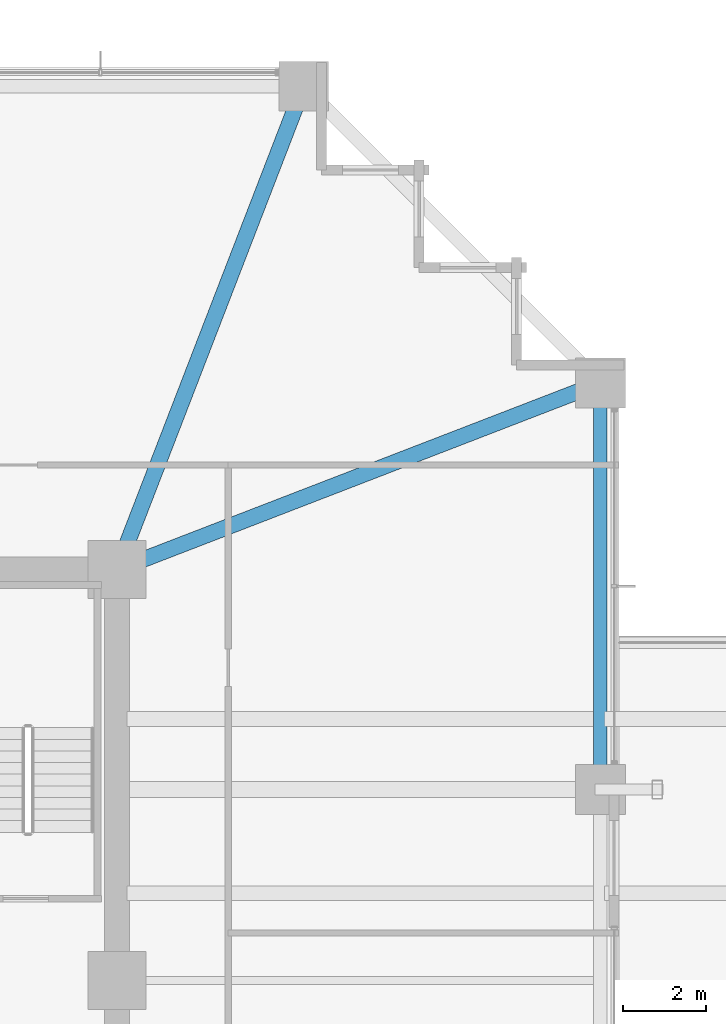
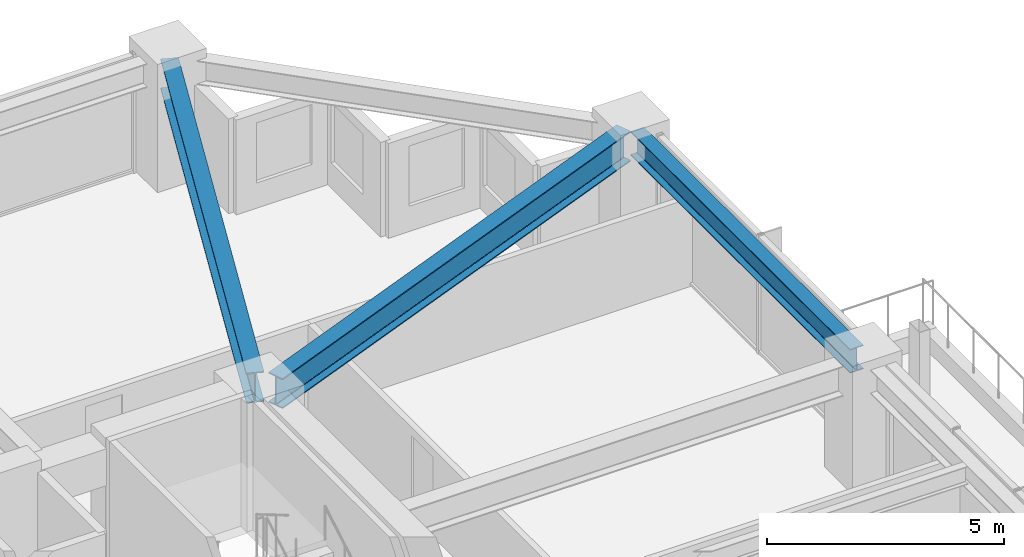
# One storey, part 24 of 38: 3 beams.
"""IFC4 building model written with IfcOpenShell, lengths in metres."""

from ifc_helpers import new_model, si_unit, direction, frame, origin, origin_2d, place, context, subcontext, project, spatial, i_section, extrude, material, material_profile, profile_set, type_object, element, save


model = new_model("IFC4")

# Units and contexts
model_context = context("Model", 3, precision=1e-05, world=origin(), true_north=direction((0.0, 1.0)))
body_context = subcontext(model_context, "Body", "Model", "MODEL_VIEW")
ifc_project = project(units=[si_unit("LENGTHUNIT", "METRE"), si_unit("AREAUNIT", "SQUARE_METRE"), si_unit("VOLUMEUNIT", "CUBIC_METRE"), si_unit("PLANEANGLEUNIT", "RADIAN"), si_unit("MASSUNIT", "GRAM", prefix="KILO")], contexts=[model_context])

# Site, building, storey
site_placement = place(None, origin())
site = spatial("IfcSite", under=ifc_project, at=site_placement, CompositionType="ELEMENT")
building_placement = place(site_placement, origin())
building = spatial("IfcBuilding", under=site, at=building_placement, Name="Kolvaren Belvedere", CompositionType="ELEMENT")
storey_placement = place(building_placement, frame((0.0, 0.0, 53.5)))
storey = spatial("IfcBuildingStorey", under=building, at=storey_placement, Name="L15", CompositionType="ELEMENT", Elevation=53.5)

# Beams
ifc_material_1 = material(Name="Structural steel ASTM A992 Grade 50", Category="steel")
ifc_material_profile_1 = material_profile(ifc_material_1, i_section(OverallWidth=0.381103515625, OverallDepth=0.77294921875, WebThickness=0.0166015625, FlangeThickness=0.027099609375, FilletRadius=0.02392578125, at=origin_2d()), Name="W30X173")
ifc_profile_set_1 = profile_set([ifc_material_profile_1], Name="Structural steel ASTM A992 Grade 50")
beam_type_1 = type_object("IfcBeamType", Name="BM-GIRD-W30X173", PredefinedType="BEAM", material=ifc_profile_set_1)
for number, where, z_axis, x_axis, name in (
    (1, (10.09814453125, 10.4130859375, 2.673583984375), (0.360318391835, 0.932829382313, 0.0), (-0.932829382313, 0.360318391835, 0.0), "L15 Corner Core-to-Perimeter Girder CC3-N4"),
    (2, (10.4130859375, 10.09814453125, 2.673583984375), (0.932829382313, 0.360318391835, 0.0), (-0.360318391835, 0.932829382313, 0.0), "L15 Corner Core-to-Perimeter Girder CC3-E4"),
):
    element("IfcBeam", number, at=place(storey_placement, frame(where, z_axis=z_axis, x_axis=x_axis)), inside=storey, type_object=beam_type_1, Name=name, PredefinedType="BEAM", context=body_context, shape_type="SweptSolid", body=[
        extrude(i_section(OverallWidth=0.381103515625, OverallDepth=0.77294921875, WebThickness=0.0166015625, FlangeThickness=0.027099609375, FilletRadius=0.02392578125, at=origin_2d()), origin(), (0.0, 0.0, 1.0), 11.698974609375),
    ])
ifc_material_2 = material(Name="Structural steel ASTM A992 Grade 50", Category="steel")
ifc_material_profile_2 = material_profile(ifc_material_2, i_section(OverallWidth=0.324951171875, OverallDepth=0.615966796875, WebThickness=0.013916015625, FlangeThickness=0.021484375, FilletRadius=0.02001953125, at=origin_2d()), Name="W24X117")
ifc_profile_set_2 = profile_set([ifc_material_profile_2], Name="Structural steel ASTM A992 Grade 50")
beam_type_2 = type_object("IfcBeamType", Name="BM-SPAN-W24X117", PredefinedType="SPANDREL", material=ifc_profile_set_2)
beam_placement = place(storey_placement, frame((21.550048828125, 4.8701171875, 2.751953125), z_axis=(0.0, 1.0, 0.0), x_axis=(-1.0, 0.0, 0.0)))
element("IfcBeam", 3, at=beam_placement, inside=storey, type_object=beam_type_2, Name="L15 Perimeter Spandrel E3-E4", PredefinedType="SPANDREL", context=body_context, shape_type="SweptSolid", body=[
    extrude(i_section(OverallWidth=0.324951171875, OverallDepth=0.615966796875, WebThickness=0.013916015625, FlangeThickness=0.021484375, FilletRadius=0.02001953125, at=origin_2d()), origin(), (0.0, 0.0, 1.0), 9.259765625),
])

save(model, "model.ifc")
